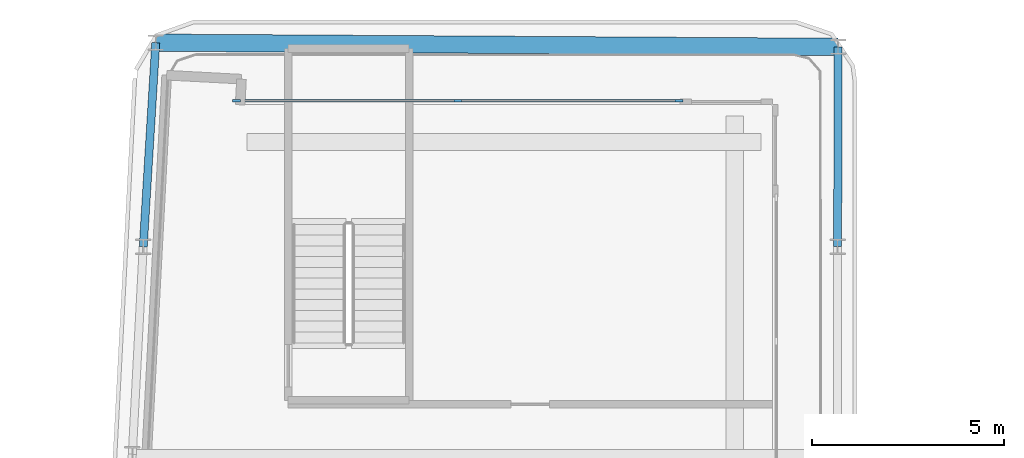
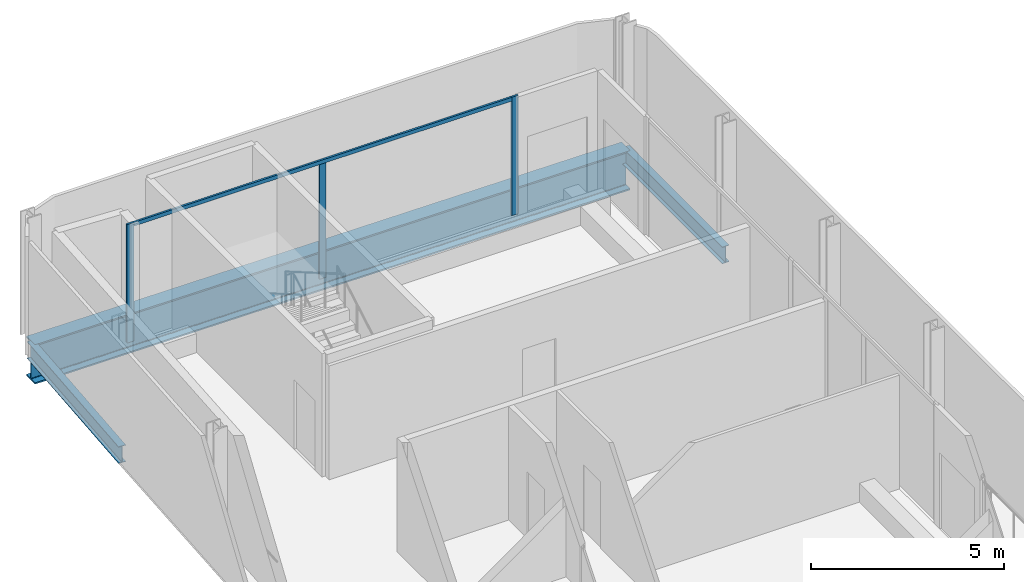
# One storey, part 7 of 21: 4 members, 3 beams, 1 element without a shape of its own.
"""IFC4 building model written with IfcOpenShell, lengths in metres."""

from ifc_helpers import new_model, si_unit, direction, frame, origin, origin_2d, place, context, subcontext, project, spatial, rectangle, i_section, extrude, material, layer, layer_set, material_profile, profile_set, type_object, element, aggregate, save


model = new_model("IFC4")

# Units and contexts
model_context = context("Model", 3, precision=1e-05, world=origin(), true_north=direction((0.0, 1.0)))
body_context = subcontext(model_context, "Body", "Model", "MODEL_VIEW")
ifc_project = project(units=[si_unit("LENGTHUNIT", "METRE"), si_unit("AREAUNIT", "SQUARE_METRE"), si_unit("VOLUMEUNIT", "CUBIC_METRE"), si_unit("PLANEANGLEUNIT", "RADIAN"), si_unit("MASSUNIT", "GRAM", prefix="KILO")], contexts=[model_context])

# Site, building, storey
site_placement = place(None, origin())
site = spatial("IfcSite", under=ifc_project, at=site_placement, CompositionType="ELEMENT")
building_placement = place(site_placement, origin())
building = spatial("IfcBuilding", under=site, at=building_placement, Name="Kheshtan School and Residences Tower", CompositionType="ELEMENT")
storey_placement = place(building_placement, frame((0.0, 0.0, 224.0)))
storey = spatial("IfcBuildingStorey", under=building, at=storey_placement, Name="L52", CompositionType="ELEMENT", Elevation=224.0)

# Beams
ifc_material_1 = material(Name="Steel ASTM A992 Grade 50", Category="steel")
ifc_material_profile_1 = material_profile(ifc_material_1, i_section(OverallWidth=0.208984375, OverallDepth=0.532958984375, WebThickness=0.01025390625, FlangeThickness=0.015625, FilletRadius=0.013916015625, at=origin_2d()), Name="W530x92")
ifc_profile_set_1 = profile_set([ifc_material_profile_1], Name="Steel ASTM A992 Grade 50")
beam_type_1 = type_object("IfcBeamType", Name="Beam SP3 W530x92 ASTM A992 Grade 50", PredefinedType="BEAM", material=ifc_profile_set_1)
beam_1_placement = place(storey_placement, frame((47.611083984375, 88.60009765625, -0.41650390625), z_axis=(-0.002112671341, -0.999997768307, 0.0), x_axis=(0.999997768307, -0.002112671341, 0.0)))
element("IfcBeam", 1, at=beam_1_placement, inside=storey, type_object=beam_type_1, Name="Spandrel beam C093-C091", PredefinedType="BEAM", context=body_context, shape_type="SweptSolid", body=[
    extrude(i_section(OverallWidth=0.208984375, OverallDepth=0.532958984375, WebThickness=0.01025390625, FlangeThickness=0.015625, FilletRadius=0.013916015625, at=origin_2d()), origin(), (0.0, 0.0, 1.0), 5.2001953125),
])
beam_2_placement = place(storey_placement, frame((29.527099609375, 83.39990234375, -0.41650390625), z_axis=(0.061446885747, 0.998110354736, 0.0), x_axis=(-0.998110354736, 0.061446885747, 0.0)))
element("IfcBeam", 2, at=beam_2_placement, inside=storey, type_object=beam_type_1, Name="Spandrel beam C090-C096", PredefinedType="BEAM", context=body_context, shape_type="SweptSolid", body=[
    extrude(i_section(OverallWidth=0.208984375, OverallDepth=0.532958984375, WebThickness=0.01025390625, FlangeThickness=0.015625, FilletRadius=0.013916015625, at=origin_2d()), origin(), (0.0, 0.0, 1.0), 5.320068359375),
])

# Curtain wall, members
ifc_material_2 = material(Name="Clear low-e glass in thermally broken aluminium frame", Category="aluminium")
ifc_layer = layer(ifc_material_2, 0.199951171875)
ifc_layer_set = layer_set([ifc_layer], Name="Curtain wall CW-L")
curtain_wall_type = type_object("IfcCurtainWallType", Name="Curtain wall CW-L", PredefinedType="NOTDEFINED", material=ifc_layer_set)
curtain_wall_placement = place(storey_placement, origin())
curtain_wall = element("IfcCurtainWall", 3, at=curtain_wall_placement, inside=storey, type_object=curtain_wall_type, Name="Curtain wall CWL3", PredefinedType="NOTDEFINED")
ifc_material_3 = material(Name="Thermally broken aluminium, dark bronze anodised", Category="aluminium")
ifc_material_profile_2 = material_profile(ifc_material_3, rectangle(XDim=0.06005859375, YDim=0.199951171875, at=origin_2d()), Name="CW-L mullion 60x200")
ifc_profile_set_2 = profile_set([ifc_material_profile_2], Name="Thermally broken aluminium, dark bronze anodised")
member_type_1 = type_object("IfcMemberType", Name="CW-L mullion 60x200", PredefinedType="MULLION", material=ifc_profile_set_2)
member_1_placement = place(storey_placement, frame((31.9541015625, 87.199951171875, 0.0), z_axis=(0.0, 0.0, 1.0), x_axis=(0.0, 1.0, 0.0)))
member_1 = element("IfcMember", 4, at=member_1_placement, type_object=member_type_1, Name="CWL3 mullion 1", PredefinedType="MULLION", context=body_context, shape_type="SweptSolid", body=[
    extrude(rectangle(XDim=0.06005859375, YDim=0.199951171875, at=origin_2d()), origin(), (0.0, 0.0, 1.0), 3.75),
])
member_2_placement = place(storey_placement, frame((37.7119140625, 87.199951171875, 0.0), z_axis=(0.0, 0.0, 1.0), x_axis=(0.0, 1.0, 0.0)))
member_2 = element("IfcMember", 5, at=member_2_placement, type_object=member_type_1, Name="CWL3 mullion 2", PredefinedType="MULLION", context=body_context, shape_type="SweptSolid", body=[
    extrude(rectangle(XDim=0.06005859375, YDim=0.199951171875, at=origin_2d()), origin(), (0.0, 0.0, 1.0), 3.6298828125),
])
member_3_placement = place(storey_placement, frame((43.469970703125, 87.199951171875, 0.0), z_axis=(0.0, 0.0, 1.0), x_axis=(0.0, 1.0, 0.0)))
member_3 = element("IfcMember", 6, at=member_3_placement, type_object=member_type_1, Name="CWL3 mullion 3", PredefinedType="MULLION", context=body_context, shape_type="SweptSolid", body=[
    extrude(rectangle(XDim=0.06005859375, YDim=0.199951171875, at=origin_2d()), origin(), (0.0, 0.0, 1.0), 3.75),
])
ifc_material_profile_3 = material_profile(ifc_material_3, rectangle(XDim=0.06005859375, YDim=0.1201171875, at=origin_2d()), Name="CW-L transom 60x120")
ifc_profile_set_3 = profile_set([ifc_material_profile_3], Name="Thermally broken aluminium, dark bronze anodised")
member_type_2 = type_object("IfcMemberType", Name="CW-L transom 60x120", PredefinedType="USERDEFINED", material=ifc_profile_set_3)
member_4_placement = place(storey_placement, frame((31.98388671875, 87.199951171875, 3.68994140625), z_axis=(1.0, 0.0, 0.0), x_axis=(0.0, 1.0, 0.0)))
member_4 = element("IfcMember", 7, at=member_4_placement, type_object=member_type_2, Name="CWL3 transom 1", ObjectType="TRANSOM", PredefinedType="USERDEFINED", context=body_context, shape_type="SweptSolid", body=[
    extrude(rectangle(XDim=0.06005859375, YDim=0.1201171875, at=origin_2d()), origin(), (0.0, 0.0, 1.0), 11.4560546875),
])
aggregate(curtain_wall, [member_1, member_2, member_3, member_4])

# Beam
ifc_material_profile_4 = material_profile(ifc_material_1, i_section(OverallWidth=0.449951171875, OverallDepth=1.25, WebThickness=0.02490234375, FlangeThickness=0.044921875, FilletRadius=0.03759765625, at=origin_2d()), Name="WWF1250x546")
ifc_profile_set_4 = profile_set([ifc_material_profile_4], Name="Steel ASTM A992 Grade 50")
beam_type_2 = type_object("IfcBeamType", Name="Transfer girder TG4 WWF1250x546 ASTM A992 Grade 50", PredefinedType="BEAM", material=ifc_profile_set_4)
beam_3_placement = place(storey_placement, frame((29.85400390625, 88.7099609375, -0.77490234375), z_axis=(0.999980860986, -0.006186894359, 0.0), x_axis=(0.006186894359, 0.999980860986, 0.0)))
element("IfcBeam", 8, at=beam_3_placement, inside=storey, type_object=beam_type_2, Name="Transfer girder C096-C093", PredefinedType="BEAM", context=body_context, shape_type="SweptSolid", body=[
    extrude(i_section(OverallWidth=0.449951171875, OverallDepth=1.25, WebThickness=0.02490234375, FlangeThickness=0.044921875, FilletRadius=0.03759765625, at=origin_2d()), origin(), (0.0, 0.0, 1.0), 17.75732421875),
])

save(model, "model.ifc")
